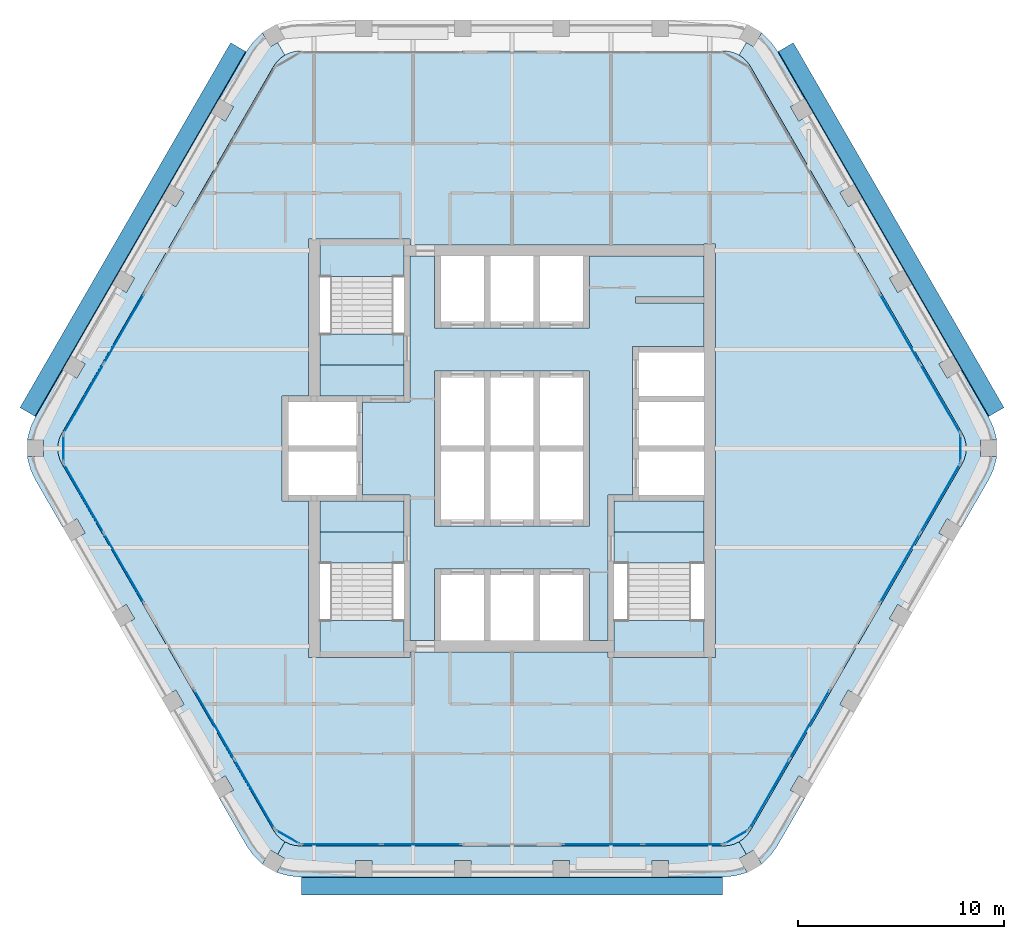
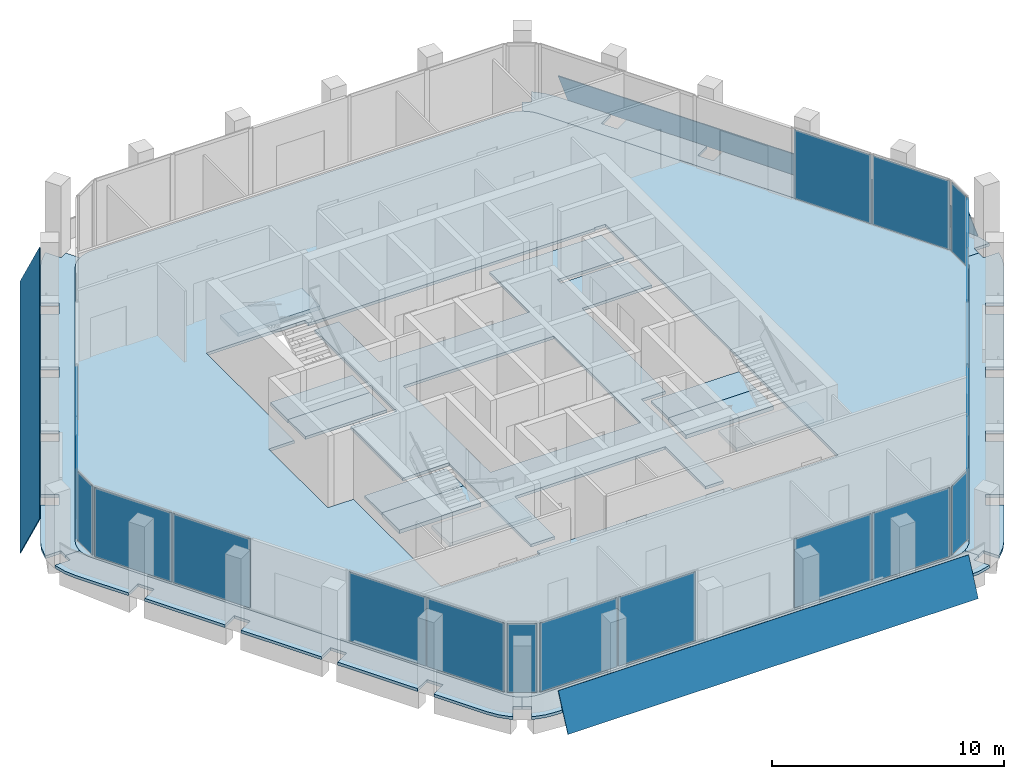
# One storey, part 6 of 14: 23 plates, 16 slabs, 15 elements without a shape of their own.
"""IFC4 building model written with IfcOpenShell, lengths in metres."""

from ifc_helpers import new_model, si_unit, direction, frame, origin, origin_2d, place, context, subcontext, project, spatial, polyline, rectangle, outline, extrude, material, layer, layer_set, type_object, element, aggregate, save


model = new_model("IFC4")

# Units and contexts
model_context = context("Model", 3, precision=1e-05, world=origin(), true_north=direction((0.0, 1.0)))
body_context = subcontext(model_context, "Body", "Model", "MODEL_VIEW")
ifc_project = project(units=[si_unit("LENGTHUNIT", "METRE"), si_unit("AREAUNIT", "SQUARE_METRE"), si_unit("VOLUMEUNIT", "CUBIC_METRE"), si_unit("PLANEANGLEUNIT", "RADIAN"), si_unit("MASSUNIT", "GRAM", prefix="KILO")], contexts=[model_context])

# Site, building, storey
site_placement = place(None, origin())
site = spatial("IfcSite", under=ifc_project, at=site_placement, CompositionType="ELEMENT")
building_placement = place(site_placement, origin())
building = spatial("IfcBuilding", under=site, at=building_placement, Name="Kolab Exchange Tower", CompositionType="ELEMENT")
storey_placement = place(building_placement, frame((0.0, 0.0, 242.300048828125)))
storey = spatial("IfcBuildingStorey", under=building, at=storey_placement, Name="L53", CompositionType="ELEMENT", Elevation=242.300048828125)

# Slabs
ifc_material_1 = material(Name="Concrete C35/45", Category="concrete")
ifc_layer_1 = layer(ifc_material_1, 0.14990234375)
ifc_layer_set_1 = layer_set([ifc_layer_1], Name="Concrete C35/45")
slab_type_1 = type_object("IfcSlabType", Name="FLOOR SLAB 150", PredefinedType="FLOOR", material=ifc_layer_set_1)
slab_1_placement = place(storey_placement, frame((0.0, 0.0, -0.150146484375)))
element("IfcSlab", 1, at=slab_1_placement, inside=storey, type_object=slab_type_1, Name="slab/L53/floor/0", PredefinedType="FLOOR", context=body_context, shape_type="SweptSolid", body=[
    extrude(outline(polyline([(11.56689453125, -18.53466796875), (21.8349609375, -0.75), (21.945556640625, -0.512939453125), (22.01318359375, -0.260498046875), (22.035888671875, 0.0), (22.01318359375, 0.260498046875), (21.945556640625, 0.512939453125), (21.8349609375, 0.75), (11.56689453125, 18.53466796875), (11.4169921875, 18.748779296875), (11.232177734375, 18.93359375), (11.01806640625, 19.083740234375), (10.781005859375, 19.194091796875), (10.5283203125, 19.26171875), (10.26806640625, 19.28466796875), (-10.26806640625, 19.28466796875), (-10.5283203125, 19.26171875), (-10.781005859375, 19.194091796875), (-11.01806640625, 19.083740234375), (-11.232177734375, 18.93359375), (-11.4169921875, 18.748779296875), (-11.56689453125, 18.53466796875), (-21.8349609375, 0.75), (-21.945556640625, 0.512939453125), (-22.01318359375, 0.260498046875), (-22.035888671875, 0.0), (-22.01318359375, -0.260498046875), (-21.945556640625, -0.512939453125), (-21.8349609375, -0.75), (-11.56689453125, -18.53466796875), (-11.4169921875, -18.748779296875), (-11.232177734375, -18.93359375), (-11.01806640625, -19.083740234375), (-10.781005859375, -19.194091796875), (-10.5283203125, -19.26171875), (-10.26806640625, -19.28466796875), (10.26806640625, -19.28466796875), (10.5283203125, -19.26171875), (10.781005859375, -19.194091796875), (11.01806640625, -19.083740234375), (11.232177734375, -18.93359375), (11.4169921875, -18.748779296875), (11.56689453125, -18.53466796875)]), holes=[polyline([(-9.324951171875, -10.14990234375), (-9.875, -10.14990234375), (-9.875, -2.550048828125), (-10.85009765625, -2.550048828125), (-11.14990234375, -2.550048828125), (-11.14990234375, 2.550048828125), (-10.85009765625, 2.550048828125), (-9.875, 2.550048828125), (-9.875, 10.14990234375), (-9.324951171875, 10.14990234375), (-5.25, 10.14990234375), (-4.949951171875, 10.14990234375), (-4.949951171875, 9.875), (9.324951171875, 9.875), (9.324951171875, 9.925048828125), (9.875, 9.925048828125), (9.875, -10.14990234375), (9.324951171875, -10.14990234375), (4.949951171875, -10.14990234375), (4.64990234375, -10.14990234375), (4.64990234375, -9.875), (-4.949951171875, -9.875), (-4.949951171875, -10.14990234375), (-5.25, -10.14990234375), (-9.324951171875, -10.14990234375)])]), origin(), (0.0, 0.0, 1.0), 0.150146484375),
])
slab_2_placement = place(storey_placement, frame((0.0, 0.0, -0.150146484375)))
element("IfcSlab", 2, at=slab_2_placement, inside=storey, type_object=slab_type_1, Name="slab/L53/floor/1", PredefinedType="FLOOR", context=body_context, shape_type="SweptSolid", body=[
    extrude(outline(polyline([(-4.949951171875, 9.324951171875), (-4.949951171875, 2.25), (-5.25, 2.25), (-7.25, 2.25), (-7.25, -2.25), (-5.25, -2.25), (-4.949951171875, -2.25), (-4.949951171875, -9.324951171875), (-3.75, -9.324951171875), (-3.75, -5.85009765625), (-3.449951171875, -5.85009765625), (-1.35009765625, -5.85009765625), (-1.050048828125, -5.85009765625), (1.050048828125, -5.85009765625), (1.35009765625, -5.85009765625), (3.449951171875, -5.85009765625), (3.75, -5.85009765625), (3.75, -9.324951171875), (4.64990234375, -9.324951171875), (4.64990234375, -2.25), (4.949951171875, -2.25), (5.85009765625, -2.25), (5.85009765625, 4.949951171875), (6.14990234375, 4.949951171875), (9.324951171875, 4.949951171875), (9.324951171875, 7.050048828125), (6.0, 7.050048828125), (6.0, 7.35009765625), (9.324951171875, 7.35009765625), (9.324951171875, 9.324951171875), (3.75, 9.324951171875), (3.75, 5.85009765625), (3.449951171875, 5.85009765625), (1.35009765625, 5.85009765625), (1.050048828125, 5.85009765625), (-1.050048828125, 5.85009765625), (-1.35009765625, 5.85009765625), (-3.449951171875, 5.85009765625), (-3.75, 5.85009765625), (-3.75, 9.324951171875), (-4.949951171875, 9.324951171875)]), holes=[polyline([(-3.449951171875, -3.75), (-3.75, -3.75), (-3.75, 3.75), (-3.449951171875, 3.75), (-1.35009765625, 3.75), (-1.050048828125, 3.75), (1.050048828125, 3.75), (1.35009765625, 3.75), (3.449951171875, 3.75), (3.75, 3.75), (3.75, -3.75), (3.449951171875, -3.75), (1.35009765625, -3.75), (1.050048828125, -3.75), (-1.050048828125, -3.75), (-1.35009765625, -3.75), (-3.449951171875, -3.75)])]), origin(), (0.0, 0.0, 1.0), 0.150146484375),
])
slab_3_placement = place(storey_placement, frame((0.0, 0.0, -0.150146484375)))
element("IfcSlab", 3, at=slab_3_placement, inside=storey, type_object=slab_type_1, Name="slab/L53/floor/2", PredefinedType="FLOOR", context=body_context, shape_type="SweptSolid", body=[
    extrude(outline(polyline([(4.949951171875, -2.550048828125), (4.949951171875, -4.050048828125), (9.324951171875, -4.050048828125), (9.324951171875, -2.550048828125), (6.14990234375, -2.550048828125), (5.85009765625, -2.550048828125), (4.949951171875, -2.550048828125)])), origin(), (0.0, 0.0, 1.0), 0.150146484375),
])
slab_4_placement = place(storey_placement, frame((0.0, 0.0, -0.150146484375)))
element("IfcSlab", 4, at=slab_4_placement, inside=storey, type_object=slab_type_1, Name="slab/L53/floor/3", PredefinedType="FLOOR", context=body_context, shape_type="SweptSolid", body=[
    extrude(outline(polyline([(-7.550048828125, -2.550048828125), (-9.324951171875, -2.550048828125), (-9.324951171875, -4.050048828125), (-5.25, -4.050048828125), (-5.25, -2.550048828125), (-7.25, -2.550048828125), (-7.550048828125, -2.550048828125)])), origin(), (0.0, 0.0, 1.0), 0.150146484375),
])
slab_5_placement = place(storey_placement, frame((0.0, 0.0, -0.150146484375)))
element("IfcSlab", 5, at=slab_5_placement, inside=storey, type_object=slab_type_1, Name="slab/L53/floor/4", PredefinedType="FLOOR", context=body_context, shape_type="SweptSolid", body=[
    extrude(outline(polyline([(-9.324951171875, 4.050048828125), (-9.324951171875, 2.550048828125), (-7.550048828125, 2.550048828125), (-7.25, 2.550048828125), (-5.25, 2.550048828125), (-5.25, 4.050048828125), (-9.324951171875, 4.050048828125)])), origin(), (0.0, 0.0, 1.0), 0.150146484375),
])
ifc_layer_2 = layer(ifc_material_1, 0.14990234375)
ifc_layer_set_2 = layer_set([ifc_layer_2], Name="Concrete C35/45")
slab_type_2 = type_object("IfcSlabType", Name="LOGGIA SLAB 150", PredefinedType="FLOOR", material=ifc_layer_set_2)
slab_6_placement = place(storey_placement, frame((0.0, 0.0, -0.150146484375)))
element("IfcSlab", 6, at=slab_6_placement, inside=storey, type_object=slab_type_2, Name="slab/L53/loggia/1-0", PredefinedType="FLOOR", context=body_context, shape_type="SweptSolid", body=[
    extrude(outline(polyline([(22.035888671875, 0.0), (22.73583984375, 0.0), (22.73583984375, 0.39990234375), (23.5009765625, 0.39990234375), (23.490234375, 0.52099609375), (23.35498046875, 1.026123046875), (23.134033203125, 1.5), (21.800048828125, 3.810546875), (21.107177734375, 3.410400390625), (20.707275390625, 4.103271484375), (21.39990234375, 4.50341796875), (19.39990234375, 7.967529296875), (18.707275390625, 7.5673828125), (18.30712890625, 8.26025390625), (19.0, 8.66015625), (17.0, 12.124267578125), (16.30712890625, 11.724365234375), (15.9072265625, 12.417236328125), (16.60009765625, 12.817138671875), (14.60009765625, 16.28125), (13.9072265625, 15.88134765625), (13.507080078125, 16.57421875), (14.199951171875, 16.97412109375), (12.865966796875, 19.28466796875), (12.566162109375, 19.712890625), (12.1962890625, 20.082763671875), (12.096923828125, 20.15234375), (11.71435546875, 19.48974609375), (11.367919921875, 19.68994140625), (11.01806640625, 19.083740234375), (11.232177734375, 18.93359375), (11.4169921875, 18.748779296875), (11.56689453125, 18.53466796875), (21.8349609375, 0.75), (21.945556640625, 0.512939453125), (22.01318359375, 0.260498046875), (22.035888671875, 0.0)])), origin(), (0.0, 0.0, 1.0), 0.150146484375),
])
slab_7_placement = place(storey_placement, frame((0.0, 0.0, -0.150146484375)))
element("IfcSlab", 7, at=slab_7_placement, inside=storey, type_object=slab_type_2, Name="slab/L53/loggia/2-0", PredefinedType="FLOOR", context=body_context, shape_type="SweptSolid", body=[
    extrude(outline(polyline([(12.865966796875, -19.28466796875), (14.199951171875, -16.97412109375), (13.507080078125, -16.57421875), (13.9072265625, -15.88134765625), (14.60009765625, -16.28125), (16.60009765625, -12.817138671875), (15.9072265625, -12.417236328125), (16.30712890625, -11.724365234375), (17.0, -12.124267578125), (19.0, -8.66015625), (18.30712890625, -8.26025390625), (18.707275390625, -7.5673828125), (19.39990234375, -7.967529296875), (21.39990234375, -4.50341796875), (20.707275390625, -4.103271484375), (21.107177734375, -3.410400390625), (21.800048828125, -3.810546875), (23.134033203125, -1.5), (23.35498046875, -1.026123046875), (23.490234375, -0.52099609375), (23.5009765625, -0.39990234375), (22.73583984375, -0.39990234375), (22.73583984375, 0.0), (22.035888671875, 0.0), (22.01318359375, -0.260498046875), (21.945556640625, -0.512939453125), (21.8349609375, -0.75), (11.56689453125, -18.53466796875), (11.4169921875, -18.748779296875), (11.232177734375, -18.93359375), (11.01806640625, -19.083740234375), (11.367919921875, -19.68994140625), (11.71435546875, -19.48974609375), (12.096923828125, -20.15234375), (12.1962890625, -20.082763671875), (12.566162109375, -19.712890625), (12.865966796875, -19.28466796875)])), origin(), (0.0, 0.0, 1.0), 0.150146484375),
])
slab_8_placement = place(storey_placement, frame((0.0, 0.0, -0.150146484375)))
element("IfcSlab", 8, at=slab_8_placement, inside=storey, type_object=slab_type_2, Name="slab/L53/loggia/3-0", PredefinedType="FLOOR", context=body_context, shape_type="SweptSolid", body=[
    extrude(outline(polyline([(-11.01806640625, -19.083740234375), (-11.367919921875, -19.68994140625), (-11.021484375, -19.889892578125), (-11.404052734375, -20.552490234375), (-11.2939453125, -20.603759765625), (-10.788818359375, -20.739013671875), (-10.26806640625, -20.78466796875), (-7.60009765625, -20.78466796875), (-7.60009765625, -19.984619140625), (-6.800048828125, -19.984619140625), (-6.800048828125, -20.78466796875), (-2.800048828125, -20.78466796875), (-2.800048828125, -19.984619140625), (-2.0, -19.984619140625), (-2.0, -20.78466796875), (2.0, -20.78466796875), (2.0, -19.984619140625), (2.800048828125, -19.984619140625), (2.800048828125, -20.78466796875), (6.800048828125, -20.78466796875), (6.800048828125, -19.984619140625), (7.60009765625, -19.984619140625), (7.60009765625, -20.78466796875), (10.26806640625, -20.78466796875), (10.788818359375, -20.739013671875), (11.2939453125, -20.603759765625), (11.404052734375, -20.552490234375), (11.021484375, -19.889892578125), (11.367919921875, -19.68994140625), (11.01806640625, -19.083740234375), (10.781005859375, -19.194091796875), (10.5283203125, -19.26171875), (10.26806640625, -19.28466796875), (-10.26806640625, -19.28466796875), (-10.5283203125, -19.26171875), (-10.781005859375, -19.194091796875), (-11.01806640625, -19.083740234375)])), origin(), (0.0, 0.0, 1.0), 0.150146484375),
])
slab_9_placement = place(storey_placement, frame((0.0, 0.0, -0.150146484375)))
element("IfcSlab", 9, at=slab_9_placement, inside=storey, type_object=slab_type_2, Name="slab/L53/loggia/4-0", PredefinedType="FLOOR", context=body_context, shape_type="SweptSolid", body=[
    extrude(outline(polyline([(-22.035888671875, 0.0), (-22.73583984375, 0.0), (-22.73583984375, -0.39990234375), (-23.5009765625, -0.39990234375), (-23.490234375, -0.52099609375), (-23.35498046875, -1.026123046875), (-23.134033203125, -1.5), (-21.800048828125, -3.810546875), (-21.107177734375, -3.410400390625), (-20.707275390625, -4.103271484375), (-21.39990234375, -4.50341796875), (-19.39990234375, -7.967529296875), (-18.707275390625, -7.5673828125), (-18.30712890625, -8.26025390625), (-19.0, -8.66015625), (-17.0, -12.124267578125), (-16.30712890625, -11.724365234375), (-15.9072265625, -12.417236328125), (-16.60009765625, -12.817138671875), (-14.60009765625, -16.28125), (-13.9072265625, -15.88134765625), (-13.507080078125, -16.57421875), (-14.199951171875, -16.97412109375), (-12.865966796875, -19.28466796875), (-12.566162109375, -19.712890625), (-12.1962890625, -20.082763671875), (-12.096923828125, -20.15234375), (-11.71435546875, -19.48974609375), (-11.367919921875, -19.68994140625), (-11.01806640625, -19.083740234375), (-11.232177734375, -18.93359375), (-11.4169921875, -18.748779296875), (-11.56689453125, -18.53466796875), (-21.8349609375, -0.75), (-21.945556640625, -0.512939453125), (-22.01318359375, -0.260498046875), (-22.035888671875, 0.0)])), origin(), (0.0, 0.0, 1.0), 0.150146484375),
])
slab_10_placement = place(storey_placement, frame((0.0, 0.0, -0.150146484375)))
element("IfcSlab", 10, at=slab_10_placement, inside=storey, type_object=slab_type_2, Name="slab/L53/loggia/5-0", PredefinedType="FLOOR", context=body_context, shape_type="SweptSolid", body=[
    extrude(outline(polyline([(-11.01806640625, 19.083740234375), (-11.367919921875, 19.68994140625), (-11.71435546875, 19.48974609375), (-12.096923828125, 20.15234375), (-12.1962890625, 20.082763671875), (-12.566162109375, 19.712890625), (-12.865966796875, 19.28466796875), (-14.199951171875, 16.97412109375), (-13.507080078125, 16.57421875), (-13.9072265625, 15.88134765625), (-14.60009765625, 16.28125), (-16.60009765625, 12.817138671875), (-15.9072265625, 12.417236328125), (-16.30712890625, 11.724365234375), (-17.0, 12.124267578125), (-19.0, 8.66015625), (-18.30712890625, 8.26025390625), (-18.707275390625, 7.5673828125), (-19.39990234375, 7.967529296875), (-21.39990234375, 4.50341796875), (-20.707275390625, 4.103271484375), (-21.107177734375, 3.410400390625), (-21.800048828125, 3.810546875), (-23.134033203125, 1.5), (-23.35498046875, 1.026123046875), (-23.490234375, 0.52099609375), (-23.5009765625, 0.39990234375), (-22.73583984375, 0.39990234375), (-22.73583984375, 0.0), (-22.035888671875, 0.0), (-22.01318359375, 0.260498046875), (-21.945556640625, 0.512939453125), (-21.8349609375, 0.75), (-11.56689453125, 18.53466796875), (-11.4169921875, 18.748779296875), (-11.232177734375, 18.93359375), (-11.01806640625, 19.083740234375)])), origin(), (0.0, 0.0, 1.0), 0.150146484375),
])

# Plates
ifc_material_2 = material(Name="Laminated glass, clear", Category="glass")
ifc_layer_3 = layer(ifc_material_2, 0.0400390625)
ifc_layer_set_3 = layer_set([ifc_layer_3], Name="Laminated glass, clear")
plate_type_1 = type_object("IfcPlateType", Name="OUTER SKIN LAMINATED GLASS SHEET 40", PredefinedType="SHEET", material=ifc_layer_set_3)
plate_1_placement = place(storey_placement, frame((13.6494140625, 19.67919921875, -0.68310546875), z_axis=(0.784886322863, 0.453152182031, 0.422618693508), x_axis=(0.499997422494, -0.866026891901, 1.981408e-06)))
element("IfcPlate", 11, at=plate_1_placement, inside=storey, type_object=plate_type_1, Name="Outer skin", PredefinedType="SHEET", context=body_context, shape_type="SweptSolid", body=[
    extrude(outline(polyline([(0.0, 0.0), (20.435802623779963, 0.0), (20.435856947346753, -1.9860898935068516), (-6.774611643567295e-05, -1.9861792489881693), (0.0, 0.0)])), origin(), (0.0, 0.0, -1.0), 0.0400390625),
])
plate_2_placement = place(storey_placement, frame((10.218017578125, -21.66015625, -0.68310546875), z_axis=(0.0, -0.906311853188, 0.422609541742), x_axis=(-1.0, 0.0, 0.0)))
element("IfcPlate", 12, at=plate_2_placement, inside=storey, type_object=plate_type_1, Name="Outer skin", PredefinedType="SHEET", context=body_context, shape_type="SweptSolid", body=[
    extrude(outline(polyline([(0.0, 0.0), (20.43603515625, 0.0), (20.43603515625, -1.9861252192534886), (0.0, -1.9861252192534886), (0.0, 0.0)])), origin(), (0.0, 0.0, -1.0), 0.0400390625),
])
plate_3_placement = place(storey_placement, frame((-23.8671875, 1.981201171875, -0.68310546875), z_axis=(-0.784886322863, 0.453152182031, 0.422618693508), x_axis=(0.499997422494, 0.866026891901, -1.981408e-06)))
element("IfcPlate", 13, at=plate_3_placement, inside=storey, type_object=plate_type_1, Name="Outer skin", PredefinedType="SHEET", context=body_context, shape_type="SweptSolid", body=[
    extrude(outline(polyline([(0.0, 0.0), (20.435802623779963, 0.0), (20.435870369896403, -1.9861792489881698), (-5.4323566790471804e-05, -1.9860898935068518), (0.0, 0.0)])), origin(), (0.0, 0.0, -1.0), 0.0400390625),
])

# Stair, slabs
ifc_material_3 = material(Name="Concrete C50/60", Category="concrete")
stair_type_1 = type_object("IfcStairType", Name="STAIR ST1 RISER 177.3", PredefinedType="HALF_TURN_STAIR", material=ifc_material_3)
stair_1_placement = place(storey_placement, origin())
stair_1 = element("IfcStair", 14, at=stair_1_placement, inside=storey, type_object=stair_type_1, Name="Stair 1", PredefinedType="HALF_TURN_STAIR")
ifc_layer_4 = layer(ifc_material_3, 0.199951171875)
ifc_layer_set_4 = layer_set([ifc_layer_4], Name="Concrete C50/60")
slab_type_3 = type_object("IfcSlabType", Name="STAIR LANDING 200", PredefinedType="LANDING", material=ifc_layer_set_4)
slab_11_placement = place(storey_placement, frame((0.0, 0.0, -0.199951171875)))
slab_11 = element("IfcSlab", 15, at=slab_11_placement, type_object=slab_type_3, Name="ST1 landing 1", PredefinedType="LANDING", context=body_context, shape_type="SweptSolid", body=[
    extrude(outline(polyline([(-9.324951171875, 4.050048828125), (-5.25, 4.050048828125), (-5.25, 5.550048828125), (-9.324951171875, 5.550048828125), (-9.324951171875, 4.050048828125)])), origin(), (0.0, 0.0, 1.0), 0.199951171875),
])
slab_12_placement = place(storey_placement, frame((0.0, 0.0, 1.75)))
slab_12 = element("IfcSlab", 16, at=slab_12_placement, type_object=slab_type_3, Name="ST1 landing 2", PredefinedType="LANDING", context=body_context, shape_type="SweptSolid", body=[
    extrude(outline(polyline([(-9.324951171875, 8.35009765625), (-5.25, 8.35009765625), (-5.25, 9.909912109375), (-9.324951171875, 9.909912109375), (-9.324951171875, 8.35009765625)])), origin(), (0.0, 0.0, 1.0), 0.199951171875),
])
aggregate(stair_1, [slab_11, slab_12])

stair_type_2 = type_object("IfcStairType", Name="STAIR ST3 RISER 177.3", PredefinedType="HALF_TURN_STAIR", material=ifc_material_3)
stair_2_placement = place(storey_placement, origin())
stair_2 = element("IfcStair", 17, at=stair_2_placement, inside=storey, type_object=stair_type_2, Name="Stair 3", PredefinedType="HALF_TURN_STAIR")
slab_13_placement = place(storey_placement, frame((0.0, 0.0, -0.199951171875)))
slab_13 = element("IfcSlab", 18, at=slab_13_placement, type_object=slab_type_3, Name="ST3 landing 1", PredefinedType="LANDING", context=body_context, shape_type="SweptSolid", body=[
    extrude(outline(polyline([(-9.324951171875, -5.550048828125), (-5.25, -5.550048828125), (-5.25, -4.050048828125), (-9.324951171875, -4.050048828125), (-9.324951171875, -5.550048828125)])), origin(), (0.0, 0.0, 1.0), 0.199951171875),
])
slab_14_placement = place(storey_placement, frame((0.0, 0.0, 1.75)))
slab_14 = element("IfcSlab", 19, at=slab_14_placement, type_object=slab_type_3, Name="ST3 landing 2", PredefinedType="LANDING", context=body_context, shape_type="SweptSolid", body=[
    extrude(outline(polyline([(-9.324951171875, -9.909912109375), (-5.25, -9.909912109375), (-5.25, -8.35009765625), (-9.324951171875, -8.35009765625), (-9.324951171875, -9.909912109375)])), origin(), (0.0, 0.0, 1.0), 0.199951171875),
])
aggregate(stair_2, [slab_13, slab_14])

stair_type_3 = type_object("IfcStairType", Name="STAIR ST2 RISER 177.3", PredefinedType="HALF_TURN_STAIR", material=ifc_material_3)
stair_3_placement = place(storey_placement, origin())
stair_3 = element("IfcStair", 20, at=stair_3_placement, inside=storey, type_object=stair_type_3, Name="Stair 2", PredefinedType="HALF_TURN_STAIR")
slab_15_placement = place(storey_placement, frame((0.0, 0.0, -0.199951171875)))
slab_15 = element("IfcSlab", 21, at=slab_15_placement, type_object=slab_type_3, Name="ST2 landing 1", PredefinedType="LANDING", context=body_context, shape_type="SweptSolid", body=[
    extrude(outline(polyline([(4.949951171875, -5.550048828125), (9.324951171875, -5.550048828125), (9.324951171875, -4.050048828125), (4.949951171875, -4.050048828125), (4.949951171875, -5.550048828125)])), origin(), (0.0, 0.0, 1.0), 0.199951171875),
])
slab_16_placement = place(storey_placement, frame((0.0, 0.0, 1.75)))
slab_16 = element("IfcSlab", 22, at=slab_16_placement, type_object=slab_type_3, Name="ST2 landing 2", PredefinedType="LANDING", context=body_context, shape_type="SweptSolid", body=[
    extrude(outline(polyline([(4.949951171875, -9.909912109375), (9.324951171875, -9.909912109375), (9.324951171875, -8.35009765625), (4.949951171875, -8.35009765625), (4.949951171875, -9.909912109375)])), origin(), (0.0, 0.0, 1.0), 0.199951171875),
])
aggregate(stair_3, [slab_15, slab_16])

# Curtain wall, plates
ifc_material_4 = material(Name="Aluminium EN AW-6063 T6", Category="aluminium")
curtain_wall_type = type_object("IfcCurtainWallType", Name="UNITISED HIGH ZONE CURTAIN WALL", PredefinedType="NOTDEFINED", material=ifc_material_4)
curtain_wall_1_placement = place(storey_placement, origin())
curtain_wall_1 = element("IfcCurtainWall", 23, at=curtain_wall_1_placement, inside=storey, type_object=curtain_wall_type, Name="cw/L53/F2-2", PredefinedType="NOTDEFINED")
ifc_material_5 = material(Name="Clear insulated glazing unit", Category="glass")
ifc_layer_5 = layer(ifc_material_5, 0.030029296875)
ifc_layer_set_5 = layer_set([ifc_layer_5], Name="Clear insulated glazing unit")
plate_type_2 = type_object("IfcPlateType", Name="UNITISED HIGH ZONE GLASS PANEL 30", PredefinedType="CURTAIN_PANEL", material=ifc_layer_set_5)
plate_4_placement = place(storey_placement, frame((18.82275390625, 5.807373046875, 0.06005859375), z_axis=(0.0, 0.0, 1.0), x_axis=(0.499999936366, -0.866025440524, 0.0)))
plate_4 = element("IfcPlate", 24, at=plate_4_placement, type_object=plate_type_2, Name="CW4 panel 1.1", PredefinedType="CURTAIN_PANEL", context=body_context, shape_type="SweptSolid", body=[
    extrude(rectangle(XDim=3.843994140625, YDim=0.030029296875, at=origin_2d()), origin(), (0.0, 0.0, 1.0), 3.6298828125),
])
plate_5_placement = place(storey_placement, frame((20.774658203125, 2.426513671875, 0.06005859375), z_axis=(0.0, 0.0, 1.0), x_axis=(0.499999936366, -0.866025440524, 0.0)))
plate_5 = element("IfcPlate", 25, at=plate_5_placement, type_object=plate_type_2, Name="CW4 panel 2.1", PredefinedType="CURTAIN_PANEL", context=body_context, shape_type="SweptSolid", body=[
    extrude(rectangle(XDim=3.843994140625, YDim=0.030029296875, at=origin_2d()), origin(), (0.0, 0.0, 1.0), 3.6298828125),
])
aggregate(curtain_wall_1, [plate_4, plate_5])

curtain_wall_2_placement = place(storey_placement, origin())
curtain_wall_2 = element("IfcCurtainWall", 26, at=curtain_wall_2_placement, inside=storey, type_object=curtain_wall_type, Name="cw/L53/F3-1", PredefinedType="NOTDEFINED")
plate_6_placement = place(storey_placement, frame((20.774658203125, -2.426513671875, 0.06005859375), z_axis=(0.0, 0.0, 1.0), x_axis=(-0.499999936366, -0.866025440524, 0.0)))
plate_6 = element("IfcPlate", 27, at=plate_6_placement, type_object=plate_type_2, Name="CW4 panel 1.1", PredefinedType="CURTAIN_PANEL", context=body_context, shape_type="SweptSolid", body=[
    extrude(rectangle(XDim=3.843994140625, YDim=0.030029296875, at=origin_2d()), origin(), (0.0, 0.0, 1.0), 3.6298828125),
])
plate_7_placement = place(storey_placement, frame((18.82275390625, -5.807373046875, 0.06005859375), z_axis=(0.0, 0.0, 1.0), x_axis=(-0.499999936366, -0.866025440524, 0.0)))
plate_7 = element("IfcPlate", 28, at=plate_7_placement, type_object=plate_type_2, Name="CW4 panel 2.1", PredefinedType="CURTAIN_PANEL", context=body_context, shape_type="SweptSolid", body=[
    extrude(rectangle(XDim=3.843994140625, YDim=0.030029296875, at=origin_2d()), origin(), (0.0, 0.0, 1.0), 3.6298828125),
])
aggregate(curtain_wall_2, [plate_6, plate_7])

curtain_wall_3_placement = place(storey_placement, origin())
curtain_wall_3 = element("IfcCurtainWall", 29, at=curtain_wall_3_placement, inside=storey, type_object=curtain_wall_type, Name="cw/L53/F3-2", PredefinedType="NOTDEFINED")
plate_8_placement = place(storey_placement, frame((14.440673828125, -13.397216796875, 0.06005859375), z_axis=(0.0, 0.0, 1.0), x_axis=(-0.500000031681, -0.866025385493, 0.0)))
plate_8 = element("IfcPlate", 30, at=plate_8_placement, type_object=plate_type_2, Name="CW4 panel 1.1", PredefinedType="CURTAIN_PANEL", context=body_context, shape_type="SweptSolid", body=[
    extrude(rectangle(XDim=3.843994140625, YDim=0.030029296875, at=origin_2d()), origin(), (0.0, 0.0, 1.0), 3.6298828125),
])
plate_9_placement = place(storey_placement, frame((12.48876953125, -16.778076171875, 0.06005859375), z_axis=(0.0, 0.0, 1.0), x_axis=(-0.500000031681, -0.866025385493, 0.0)))
plate_9 = element("IfcPlate", 31, at=plate_9_placement, type_object=plate_type_2, Name="CW4 panel 2.1", PredefinedType="CURTAIN_PANEL", context=body_context, shape_type="SweptSolid", body=[
    extrude(rectangle(XDim=3.843994140625, YDim=0.030029296875, at=origin_2d()), origin(), (0.0, 0.0, 1.0), 3.6298828125),
])
aggregate(curtain_wall_3, [plate_8, plate_9])

curtain_wall_4_placement = place(storey_placement, origin())
curtain_wall_4 = element("IfcCurtainWall", 32, at=curtain_wall_4_placement, inside=storey, type_object=curtain_wall_type, Name="cw/L53/F4-1", PredefinedType="NOTDEFINED")
plate_10_placement = place(storey_placement, frame((8.285888671875, -19.20458984375, 0.06005859375), z_axis=(0.0, 0.0, 1.0), x_axis=(-1.0, 0.0, 0.0)))
plate_10 = element("IfcPlate", 33, at=plate_10_placement, type_object=plate_type_2, Name="CW4 panel 1.1", PredefinedType="CURTAIN_PANEL", context=body_context, shape_type="SweptSolid", body=[
    extrude(rectangle(XDim=3.843994140625, YDim=0.030029296875, at=origin_2d()), origin(), (0.0, 0.0, 1.0), 3.6298828125),
])
plate_11_placement = place(storey_placement, frame((4.382080078125, -19.20458984375, 0.06005859375), z_axis=(0.0, 0.0, 1.0), x_axis=(-1.0, 0.0, 0.0)))
plate_11 = element("IfcPlate", 34, at=plate_11_placement, type_object=plate_type_2, Name="CW4 panel 2.1", PredefinedType="CURTAIN_PANEL", context=body_context, shape_type="SweptSolid", body=[
    extrude(rectangle(XDim=3.843994140625, YDim=0.030029296875, at=origin_2d()), origin(), (0.0, 0.0, 1.0), 3.6298828125),
])
aggregate(curtain_wall_4, [plate_10, plate_11])

curtain_wall_5_placement = place(storey_placement, origin())
curtain_wall_5 = element("IfcCurtainWall", 35, at=curtain_wall_5_placement, inside=storey, type_object=curtain_wall_type, Name="cw/L53/F4-2", PredefinedType="NOTDEFINED")
plate_12_placement = place(storey_placement, frame((-4.382080078125, -19.20458984375, 0.06005859375), z_axis=(0.0, 0.0, 1.0), x_axis=(-1.0, 0.0, 0.0)))
plate_12 = element("IfcPlate", 36, at=plate_12_placement, type_object=plate_type_2, Name="CW4 panel 1.1", PredefinedType="CURTAIN_PANEL", context=body_context, shape_type="SweptSolid", body=[
    extrude(rectangle(XDim=3.843994140625, YDim=0.030029296875, at=origin_2d()), origin(), (0.0, 0.0, 1.0), 3.6298828125),
])
plate_13_placement = place(storey_placement, frame((-8.285888671875, -19.20458984375, 0.06005859375), z_axis=(0.0, 0.0, 1.0), x_axis=(-1.0, 0.0, 0.0)))
plate_13 = element("IfcPlate", 37, at=plate_13_placement, type_object=plate_type_2, Name="CW4 panel 2.1", PredefinedType="CURTAIN_PANEL", context=body_context, shape_type="SweptSolid", body=[
    extrude(rectangle(XDim=3.843994140625, YDim=0.030029296875, at=origin_2d()), origin(), (0.0, 0.0, 1.0), 3.6298828125),
])
aggregate(curtain_wall_5, [plate_12, plate_13])

curtain_wall_6_placement = place(storey_placement, origin())
curtain_wall_6 = element("IfcCurtainWall", 38, at=curtain_wall_6_placement, inside=storey, type_object=curtain_wall_type, Name="cw/L53/F5-1", PredefinedType="NOTDEFINED")
plate_14_placement = place(storey_placement, frame((-12.48876953125, -16.778076171875, 0.06005859375), z_axis=(0.0, 0.0, 1.0), x_axis=(-0.500000031681, 0.866025385493, 0.0)))
plate_14 = element("IfcPlate", 39, at=plate_14_placement, type_object=plate_type_2, Name="CW4 panel 1.1", PredefinedType="CURTAIN_PANEL", context=body_context, shape_type="SweptSolid", body=[
    extrude(rectangle(XDim=3.843994140625, YDim=0.030029296875, at=origin_2d()), origin(), (0.0, 0.0, 1.0), 3.6298828125),
])
plate_15_placement = place(storey_placement, frame((-14.440673828125, -13.397216796875, 0.06005859375), z_axis=(0.0, 0.0, 1.0), x_axis=(-0.500000031681, 0.866025385493, 0.0)))
plate_15 = element("IfcPlate", 40, at=plate_15_placement, type_object=plate_type_2, Name="CW4 panel 2.1", PredefinedType="CURTAIN_PANEL", context=body_context, shape_type="SweptSolid", body=[
    extrude(rectangle(XDim=3.843994140625, YDim=0.030029296875, at=origin_2d()), origin(), (0.0, 0.0, 1.0), 3.6298828125),
])
aggregate(curtain_wall_6, [plate_14, plate_15])

curtain_wall_7_placement = place(storey_placement, origin())
curtain_wall_7 = element("IfcCurtainWall", 41, at=curtain_wall_7_placement, inside=storey, type_object=curtain_wall_type, Name="cw/L53/F5-2", PredefinedType="NOTDEFINED")
plate_16_placement = place(storey_placement, frame((-18.82275390625, -5.807373046875, 0.06005859375), z_axis=(0.0, 0.0, 1.0), x_axis=(-0.499999936366, 0.866025440524, 0.0)))
plate_16 = element("IfcPlate", 42, at=plate_16_placement, type_object=plate_type_2, Name="CW4 panel 1.1", PredefinedType="CURTAIN_PANEL", context=body_context, shape_type="SweptSolid", body=[
    extrude(rectangle(XDim=3.843994140625, YDim=0.030029296875, at=origin_2d()), origin(), (0.0, 0.0, 1.0), 3.6298828125),
])
plate_17_placement = place(storey_placement, frame((-20.774658203125, -2.426513671875, 0.06005859375), z_axis=(0.0, 0.0, 1.0), x_axis=(-0.499999936366, 0.866025440524, 0.0)))
plate_17 = element("IfcPlate", 43, at=plate_17_placement, type_object=plate_type_2, Name="CW4 panel 2.1", PredefinedType="CURTAIN_PANEL", context=body_context, shape_type="SweptSolid", body=[
    extrude(rectangle(XDim=3.843994140625, YDim=0.030029296875, at=origin_2d()), origin(), (0.0, 0.0, 1.0), 3.6298828125),
])
aggregate(curtain_wall_7, [plate_16, plate_17])

curtain_wall_8_placement = place(storey_placement, origin())
curtain_wall_8 = element("IfcCurtainWall", 44, at=curtain_wall_8_placement, inside=storey, type_object=curtain_wall_type, Name="cw/L53/F6-1", PredefinedType="NOTDEFINED")
plate_18_placement = place(storey_placement, frame((-20.774658203125, 2.426513671875, 0.06005859375), z_axis=(0.0, 0.0, 1.0), x_axis=(0.499999936366, 0.866025440524, 0.0)))
plate_18 = element("IfcPlate", 45, at=plate_18_placement, type_object=plate_type_2, Name="CW4 panel 1.1", PredefinedType="CURTAIN_PANEL", context=body_context, shape_type="SweptSolid", body=[
    extrude(rectangle(XDim=3.843994140625, YDim=0.030029296875, at=origin_2d()), origin(), (0.0, 0.0, 1.0), 3.6298828125),
])
plate_19_placement = place(storey_placement, frame((-18.82275390625, 5.807373046875, 0.06005859375), z_axis=(0.0, 0.0, 1.0), x_axis=(0.499999936366, 0.866025440524, 0.0)))
plate_19 = element("IfcPlate", 46, at=plate_19_placement, type_object=plate_type_2, Name="CW4 panel 2.1", PredefinedType="CURTAIN_PANEL", context=body_context, shape_type="SweptSolid", body=[
    extrude(rectangle(XDim=3.843994140625, YDim=0.030029296875, at=origin_2d()), origin(), (0.0, 0.0, 1.0), 3.6298828125),
])
aggregate(curtain_wall_8, [plate_18, plate_19])

# Curtain wall, plate
curtain_wall_9_placement = place(storey_placement, origin())
curtain_wall_9 = element("IfcCurtainWall", 47, at=curtain_wall_9_placement, inside=storey, type_object=curtain_wall_type, Name="cw/L53/F2F3-corner", PredefinedType="NOTDEFINED")
plate_20_placement = place(storey_placement, frame((21.765625, 0.0, 0.06005859375), z_axis=(0.0, 0.0, 1.0), x_axis=(0.0, -1.0, 0.0)))
plate_20 = element("IfcPlate", 48, at=plate_20_placement, type_object=plate_type_2, Name="CW4 panel 1.1", PredefinedType="CURTAIN_PANEL", context=body_context, shape_type="SweptSolid", body=[
    extrude(rectangle(XDim=1.300048828125, YDim=0.030029296875, at=origin_2d()), origin(), (0.0, 0.0, 1.0), 3.6298828125),
])
aggregate(curtain_wall_9, [plate_20])

curtain_wall_10_placement = place(storey_placement, origin())
curtain_wall_10 = element("IfcCurtainWall", 49, at=curtain_wall_10_placement, inside=storey, type_object=curtain_wall_type, Name="cw/L53/F3F4-corner", PredefinedType="NOTDEFINED")
plate_21_placement = place(storey_placement, frame((10.8828125, -18.849609375, 0.06005859375), z_axis=(0.0, 0.0, 1.0), x_axis=(-0.866025390869, -0.50000002237, 0.0)))
plate_21 = element("IfcPlate", 50, at=plate_21_placement, type_object=plate_type_2, Name="CW4 panel 1.1", PredefinedType="CURTAIN_PANEL", context=body_context, shape_type="SweptSolid", body=[
    extrude(rectangle(XDim=1.300048828125, YDim=0.030029296875, at=origin_2d()), origin(), (0.0, 0.0, 1.0), 3.6298828125),
])
aggregate(curtain_wall_10, [plate_21])

curtain_wall_11_placement = place(storey_placement, origin())
curtain_wall_11 = element("IfcCurtainWall", 51, at=curtain_wall_11_placement, inside=storey, type_object=curtain_wall_type, Name="cw/L53/F4F5-corner", PredefinedType="NOTDEFINED")
plate_22_placement = place(storey_placement, frame((-10.8828125, -18.849609375, 0.06005859375), z_axis=(0.0, 0.0, 1.0), x_axis=(-0.866025390869, 0.50000002237, 0.0)))
plate_22 = element("IfcPlate", 52, at=plate_22_placement, type_object=plate_type_2, Name="CW4 panel 1.1", PredefinedType="CURTAIN_PANEL", context=body_context, shape_type="SweptSolid", body=[
    extrude(rectangle(XDim=1.300048828125, YDim=0.030029296875, at=origin_2d()), origin(), (0.0, 0.0, 1.0), 3.6298828125),
])
aggregate(curtain_wall_11, [plate_22])

curtain_wall_12_placement = place(storey_placement, origin())
curtain_wall_12 = element("IfcCurtainWall", 53, at=curtain_wall_12_placement, inside=storey, type_object=curtain_wall_type, Name="cw/L53/F5F6-corner", PredefinedType="NOTDEFINED")
plate_23_placement = place(storey_placement, frame((-21.765625, 0.0, 0.06005859375), z_axis=(0.0, 0.0, 1.0), x_axis=(0.0, 1.0, 0.0)))
plate_23 = element("IfcPlate", 54, at=plate_23_placement, type_object=plate_type_2, Name="CW4 panel 1.1", PredefinedType="CURTAIN_PANEL", context=body_context, shape_type="SweptSolid", body=[
    extrude(rectangle(XDim=1.300048828125, YDim=0.030029296875, at=origin_2d()), origin(), (0.0, 0.0, 1.0), 3.6298828125),
])
aggregate(curtain_wall_12, [plate_23])

save(model, "model.ifc")
